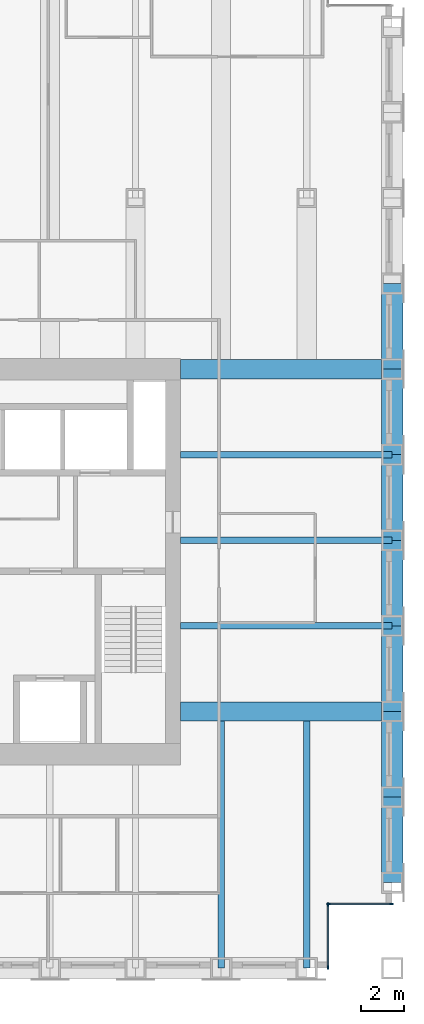
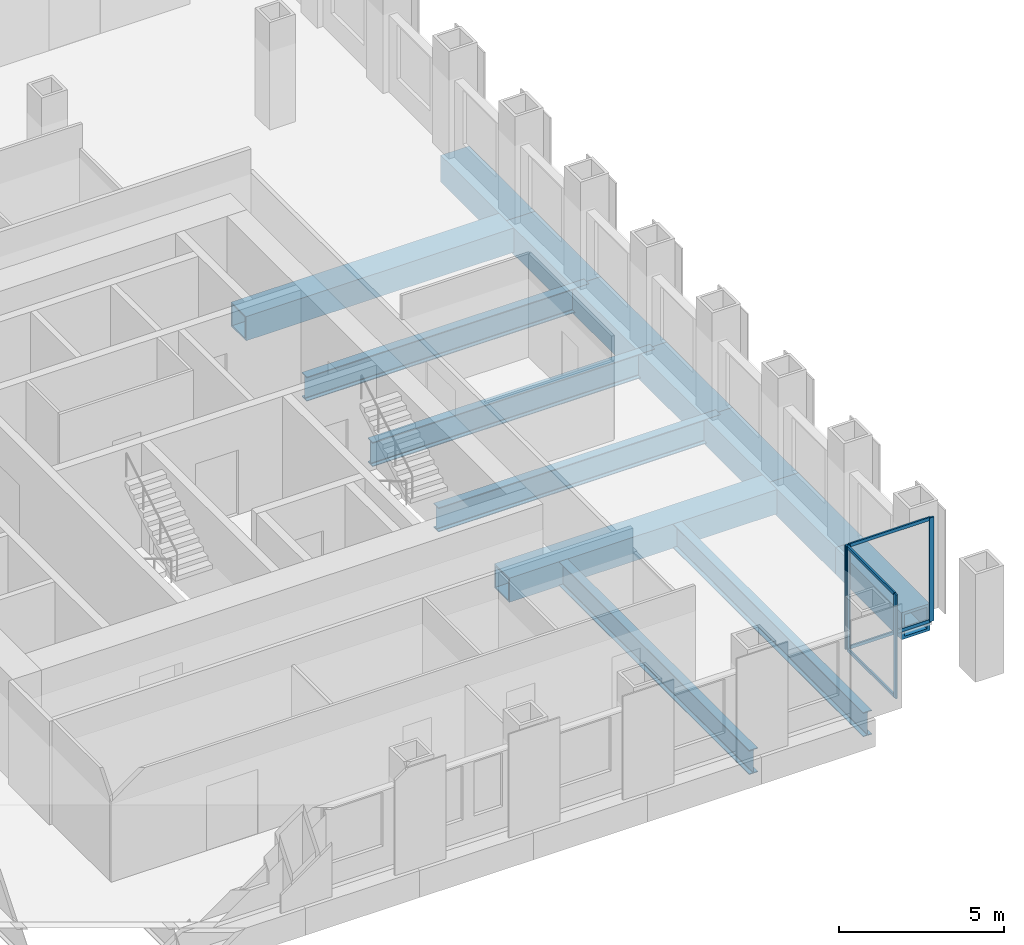
# One storey, part 4 of 13: 14 beams, 8 members, 2 elements without a shape of their own.
"""IFC4 building model written with IfcOpenShell, lengths in metres."""

from ifc_helpers import new_model, si_unit, direction, frame, origin, origin_2d, place, context, subcontext, project, spatial, rectangle, hollow_rectangle, i_section, extrude, material, material_profile, profile_set, type_object, element, aggregate, save


model = new_model("IFC4")

# Units and contexts
model_context = context("Model", 3, precision=1e-05, world=origin(), true_north=direction((0.0, 1.0)))
body_context = subcontext(model_context, "Body", "Model", "MODEL_VIEW")
ifc_project = project(units=[si_unit("LENGTHUNIT", "METRE"), si_unit("AREAUNIT", "SQUARE_METRE"), si_unit("VOLUMEUNIT", "CUBIC_METRE"), si_unit("PLANEANGLEUNIT", "RADIAN"), si_unit("MASSUNIT", "GRAM", prefix="KILO")], contexts=[model_context])

# Site, building, storey
site_placement = place(None, origin())
site = spatial("IfcSite", under=ifc_project, at=site_placement, CompositionType="ELEMENT")
building_placement = place(site_placement, origin())
building = spatial("IfcBuilding", under=site, at=building_placement, Name="Rimbunsela Tower", CompositionType="ELEMENT")
storey_placement = place(building_placement, frame((0.0, 0.0, 195.800048828125)))
storey = spatial("IfcBuildingStorey", under=building, at=storey_placement, Name="L47", CompositionType="ELEMENT", Elevation=195.800048828125)

# Beams
ifc_material_1 = material(Name="Steel BJ 55 (fy 410 MPa)", Category="steel")
ifc_material_profile_1 = material_profile(ifc_material_1, hollow_rectangle(XDim=1.0, YDim=1.0, WallThickness=0.10009765625, at=origin_2d()), Name="BOX 1000x1000x100")
ifc_profile_set_1 = profile_set([ifc_material_profile_1], Name="Steel BJ 55 (fy 410 MPa)")
beam_type_1 = type_object("IfcBeamType", Name="Beam BOX 1000x1000x100", PredefinedType="BEAM", material=ifc_profile_set_1)
for number, where, z_axis, x_axis, name in (
    (1, (46.0, 12.0, -0.650146484375), (0.0, 1.0, 0.0), (-1.0, 0.0, 0.0), "Beam B3 L47"),
    (2, (46.0, 16.0, -0.650146484375), (0.0, 1.0, 0.0), (-1.0, 0.0, 0.0), "Beam B3 L47"),
    (3, (46.0, 20.0, -0.650146484375), (0.0, 1.0, 0.0), (-1.0, 0.0, 0.0), "Beam B3 L47"),
    (4, (46.0, 24.0, -0.650146484375), (0.0, 1.0, 0.0), (-1.0, 0.0, 0.0), "Beam B3 L47"),
    (5, (46.0, 28.0, -0.650146484375), (0.0, 1.0, 0.0), (-1.0, 0.0, 0.0), "Beam B3 L47"),
    (6, (46.0, 32.0, -0.650146484375), (0.0, 1.0, 0.0), (-1.0, 0.0, 0.0), "Beam B3 L47"),
    (7, (46.0, 36.0, -0.650146484375), (0.0, 1.0, 0.0), (-1.0, 0.0, 0.0), "Beam B3 L47"),
):
    element("IfcBeam", number, at=place(storey_placement, frame(where, z_axis=z_axis, x_axis=x_axis)), inside=storey, type_object=beam_type_1, Name=name, PredefinedType="BEAM", context=body_context, shape_type="SweptSolid", body=[
        extrude(hollow_rectangle(XDim=1.0, YDim=1.0, WallThickness=0.10009765625, at=origin_2d()), origin(), (0.0, 0.0, 1.0), 4.0),
    ])
ifc_material_2 = material(Name="Steel BJ 55 (fy 410 MPa)", Category="steel")
ifc_material_profile_2 = material_profile(ifc_material_2, hollow_rectangle(XDim=0.89990234375, YDim=0.89990234375, WallThickness=0.06005859375, at=origin_2d()), Name="BOX 900x900x60")
ifc_profile_set_2 = profile_set([ifc_material_profile_2], Name="Steel BJ 55 (fy 410 MPa)")
beam_type_2 = type_object("IfcBeamType", Name="Beam BOX 900x900x60", PredefinedType="BEAM", material=ifc_profile_set_2)
for number, where, z_axis, x_axis, name in (
    (8, (36.10009765625, 20.0, -0.60009765625), (1.0, 0.0, 0.0), (0.0, 1.0, 0.0), "Beam B1 L47"),
    (9, (36.10009765625, 36.0, -0.60009765625), (1.0, 0.0, 0.0), (0.0, 1.0, 0.0), "Beam B1 L47"),
):
    element("IfcBeam", number, at=place(storey_placement, frame(where, z_axis=z_axis, x_axis=x_axis)), inside=storey, type_object=beam_type_2, Name=name, PredefinedType="BEAM", context=body_context, shape_type="SweptSolid", body=[
        extrude(hollow_rectangle(XDim=0.89990234375, YDim=0.89990234375, WallThickness=0.06005859375, at=origin_2d()), origin(), (0.0, 0.0, 1.0), 9.89990234375),
    ])
ifc_material_3 = material(Name="Steel BJ 55 (fy 410 MPa)", Category="steel")
ifc_material_profile_3 = material_profile(ifc_material_3, i_section(OverallWidth=0.300048828125, OverallDepth=0.89990234375, WebThickness=0.01611328125, FlangeThickness=0.028076171875, FilletRadius=0.028076171875, at=origin_2d()), Name="H 900x300x16x28")
ifc_profile_set_3 = profile_set([ifc_material_profile_3], Name="Steel BJ 55 (fy 410 MPa)")
beam_type_3 = type_object("IfcBeamType", Name="Beam H 900x300x16x28", PredefinedType="BEAM", material=ifc_profile_set_3)
for number, where, z_axis, x_axis, name in (
    (10, (36.10009765625, 24.0, -0.60009765625), (1.0, 0.0, 0.0), (0.0, 1.0, 0.0), "Beam B2 L47"),
    (11, (36.10009765625, 28.0, -0.60009765625), (1.0, 0.0, 0.0), (0.0, 1.0, 0.0), "Beam B2 L47"),
    (12, (36.10009765625, 32.0, -0.60009765625), (1.0, 0.0, 0.0), (0.0, 1.0, 0.0), "Beam B2 L47"),
):
    element("IfcBeam", number, at=place(storey_placement, frame(where, z_axis=z_axis, x_axis=x_axis)), inside=storey, type_object=beam_type_3, Name=name, PredefinedType="BEAM", context=body_context, shape_type="SweptSolid", body=[
        extrude(i_section(OverallWidth=0.300048828125, OverallDepth=0.89990234375, WebThickness=0.01611328125, FlangeThickness=0.028076171875, FilletRadius=0.028076171875, at=origin_2d()), origin(), (0.0, 0.0, 1.0), 9.89990234375),
    ])
for number, where, z_axis, x_axis, name in (
    (13, (38.0, 8.0, -0.60009765625), (0.0, 1.0, 0.0), (-1.0, 0.0, 0.0), "Beam B2 L47"),
    (14, (42.0, 8.0, -0.60009765625), (0.0, 1.0, 0.0), (-1.0, 0.0, 0.0), "Beam B2 L47"),
):
    element("IfcBeam", number, at=place(storey_placement, frame(where, z_axis=z_axis, x_axis=x_axis)), inside=storey, type_object=beam_type_3, Name=name, PredefinedType="BEAM", context=body_context, shape_type="SweptSolid", body=[
        extrude(i_section(OverallWidth=0.300048828125, OverallDepth=0.89990234375, WebThickness=0.01611328125, FlangeThickness=0.028076171875, FilletRadius=0.028076171875, at=origin_2d()), origin(), (0.0, 0.0, 1.0), 11.550048828125),
    ])

# Curtain wall, members
ifc_material_4 = material(Name="Aluminium curtain wall", Category="aluminium")
curtain_wall_type = type_object("IfcCurtainWallType", Name="Corner glazing", PredefinedType="USERDEFINED", material=ifc_material_4)
curtain_wall_1_placement = place(storey_placement, origin())
curtain_wall_1 = element("IfcCurtainWall", 15, at=curtain_wall_1_placement, inside=storey, type_object=curtain_wall_type, Name="Corner glazing L47", ObjectType="CORNER GLAZING", PredefinedType="USERDEFINED")
ifc_material_5 = material(Name="Aluminium mullion", Category="aluminium")
ifc_material_profile_4 = material_profile(ifc_material_5, rectangle(XDim=0.06005859375, YDim=0.159912109375, at=origin_2d()), Name="Mullion 60x160")
ifc_profile_set_4 = profile_set([ifc_material_profile_4], Name="Aluminium mullion")
member_type_1 = type_object("IfcMemberType", Name="Curtain wall mullion 60x160", PredefinedType="MULLION", material=ifc_profile_set_4)
member_1_placement = place(storey_placement, frame((43.0, 8.030029296875, 0.0), z_axis=(0.0, 0.0, 1.0), x_axis=(-1.0, 0.0, 0.0)))
member_1 = element("IfcMember", 16, at=member_1_placement, type_object=member_type_1, Name="CW5 mullion 1", PredefinedType="MULLION", context=body_context, shape_type="SweptSolid", body=[
    extrude(rectangle(XDim=0.06005859375, YDim=0.159912109375, at=origin_2d()), origin(), (0.0, 0.0, 1.0), 3.849853515625),
])
member_2_placement = place(storey_placement, frame((43.0, 10.969970703125, 0.0), z_axis=(0.0, 0.0, 1.0), x_axis=(-1.0, 0.0, 0.0)))
member_2 = element("IfcMember", 17, at=member_2_placement, type_object=member_type_1, Name="CW5 mullion 2", PredefinedType="MULLION", context=body_context, shape_type="SweptSolid", body=[
    extrude(rectangle(XDim=0.06005859375, YDim=0.159912109375, at=origin_2d()), origin(), (0.0, 0.0, 1.0), 3.849853515625),
])

curtain_wall_2_placement = place(storey_placement, origin())
curtain_wall_2 = element("IfcCurtainWall", 18, at=curtain_wall_2_placement, inside=storey, type_object=curtain_wall_type, Name="Corner glazing L47", ObjectType="CORNER GLAZING", PredefinedType="USERDEFINED")
member_3_placement = place(storey_placement, frame((43.030029296875, 11.0, 0.0), z_axis=(0.0, 0.0, 1.0), x_axis=(0.0, 1.0, 0.0)))
member_3 = element("IfcMember", 19, at=member_3_placement, type_object=member_type_1, Name="CW5 mullion 1", PredefinedType="MULLION", context=body_context, shape_type="SweptSolid", body=[
    extrude(rectangle(XDim=0.06005859375, YDim=0.159912109375, at=origin_2d()), origin(), (0.0, 0.0, 1.0), 3.849853515625),
])
member_4_placement = place(storey_placement, frame((45.969970703125, 11.0, 0.0), z_axis=(0.0, 0.0, 1.0), x_axis=(0.0, 1.0, 0.0)))
member_4 = element("IfcMember", 20, at=member_4_placement, type_object=member_type_1, Name="CW5 mullion 2", PredefinedType="MULLION", context=body_context, shape_type="SweptSolid", body=[
    extrude(rectangle(XDim=0.06005859375, YDim=0.159912109375, at=origin_2d()), origin(), (0.0, 0.0, 1.0), 3.849853515625),
])

# Member
ifc_material_6 = material(Name="Aluminium transom", Category="aluminium")
ifc_material_profile_5 = material_profile(ifc_material_6, rectangle(XDim=0.06005859375, YDim=0.1201171875, at=origin_2d()), Name="Transom 60x120")
ifc_profile_set_5 = profile_set([ifc_material_profile_5], Name="Aluminium transom")
member_type_2 = type_object("IfcMemberType", Name="Curtain wall transom 60x120", PredefinedType="USERDEFINED", material=ifc_profile_set_5)
member_5_placement = place(storey_placement, frame((43.0, 8.06005859375, 0.030029296875), z_axis=(0.0, 1.0, 0.0), x_axis=(-1.0, 0.0, 0.0)))
member_5 = element("IfcMember", 21, at=member_5_placement, type_object=member_type_2, Name="CW5 transom 1.1", ObjectType="TRANSOM", PredefinedType="USERDEFINED", context=body_context, shape_type="SweptSolid", body=[
    extrude(rectangle(XDim=0.06005859375, YDim=0.1201171875, at=origin_2d()), origin(), (0.0, 0.0, 1.0), 2.8798828125),
])

member_6_placement = place(storey_placement, frame((43.0, 8.06005859375, 3.820068359375), z_axis=(0.0, 1.0, 0.0), x_axis=(-1.0, 0.0, 0.0)))
member_6 = element("IfcMember", 22, at=member_6_placement, type_object=member_type_2, Name="CW5 transom 1.2", ObjectType="TRANSOM", PredefinedType="USERDEFINED", context=body_context, shape_type="SweptSolid", body=[
    extrude(rectangle(XDim=0.06005859375, YDim=0.1201171875, at=origin_2d()), origin(), (0.0, 0.0, 1.0), 2.8798828125),
])

aggregate(curtain_wall_1, [member_1, member_2, member_5, member_6])

member_7_placement = place(storey_placement, frame((43.06005859375, 11.0, 0.030029296875), z_axis=(1.0, 0.0, 0.0), x_axis=(0.0, 1.0, 0.0)))
member_7 = element("IfcMember", 23, at=member_7_placement, type_object=member_type_2, Name="CW5 transom 1.1", ObjectType="TRANSOM", PredefinedType="USERDEFINED", context=body_context, shape_type="SweptSolid", body=[
    extrude(rectangle(XDim=0.06005859375, YDim=0.1201171875, at=origin_2d()), origin(), (0.0, 0.0, 1.0), 2.8798828125),
])

member_8_placement = place(storey_placement, frame((43.06005859375, 11.0, 3.820068359375), z_axis=(1.0, 0.0, 0.0), x_axis=(0.0, 1.0, 0.0)))
member_8 = element("IfcMember", 24, at=member_8_placement, type_object=member_type_2, Name="CW5 transom 1.2", ObjectType="TRANSOM", PredefinedType="USERDEFINED", context=body_context, shape_type="SweptSolid", body=[
    extrude(rectangle(XDim=0.06005859375, YDim=0.1201171875, at=origin_2d()), origin(), (0.0, 0.0, 1.0), 2.8798828125),
])

aggregate(curtain_wall_2, [member_3, member_4, member_7, member_8])

save(model, "model.ifc")
